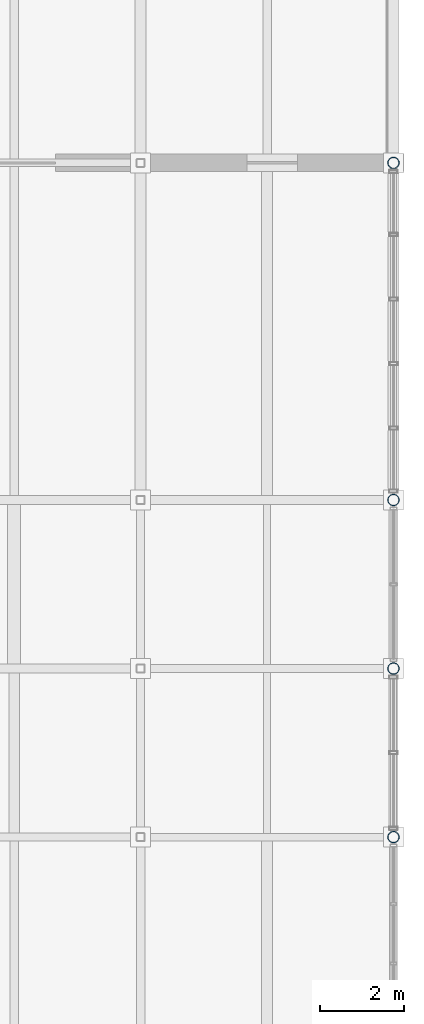
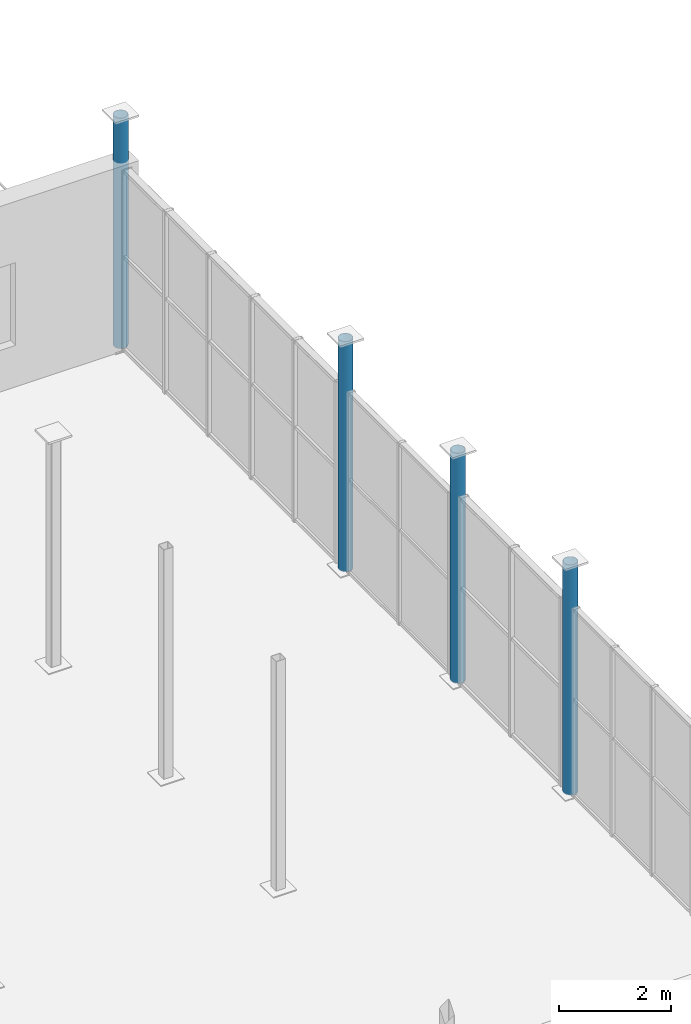
# One storey, part 5 of 27: 4 columns.
"""IFC4 building model written with IfcOpenShell, lengths in metres."""

from ifc_helpers import new_model, si_unit, direction, frame, origin, origin_2d, place, context, subcontext, project, spatial, hollow_circle, extrude, material, material_profile, profile_set, type_object, element, save


model = new_model("IFC4")

# Units and contexts
model_context = context("Model", 3, precision=1e-05, world=origin(), true_north=direction((0.0, 1.0)))
body_context = subcontext(model_context, "Body", "Model", "MODEL_VIEW")
ifc_project = project(units=[si_unit("LENGTHUNIT", "METRE"), si_unit("AREAUNIT", "SQUARE_METRE"), si_unit("VOLUMEUNIT", "CUBIC_METRE"), si_unit("PLANEANGLEUNIT", "RADIAN"), si_unit("MASSUNIT", "GRAM", prefix="KILO")], contexts=[model_context])

# Site, building, storey
site_placement = place(None, origin())
site = spatial("IfcSite", under=ifc_project, at=site_placement, CompositionType="ELEMENT")
building_placement = place(site_placement, origin())
building = spatial("IfcBuilding", under=site, at=building_placement, Name="Verrall Gate Interchange", CompositionType="ELEMENT")
storey_placement = place(building_placement, frame((0.0, 0.0, 23.60009765625)))
storey = spatial("IfcBuildingStorey", under=building, at=storey_placement, Name="L06", CompositionType="ELEMENT", Elevation=23.60009765625)

# Columns
ifc_material = material(Name="Structural Steel CSA G40.21 350WT Cat 4", Category="steel")
ifc_material_profile = material_profile(ifc_material, hollow_circle(Radius=0.136474609375, WallThickness=0.009521484375, at=origin_2d()), Name="HSS273x9.5")
ifc_profile_set = profile_set([ifc_material_profile], Name="Structural Steel CSA G40.21 350WT Cat 4")
column_type = type_object("IfcColumnType", Name="C-16 Column HSS273x9.5", PredefinedType="COLUMN", material=ifc_profile_set)
for number, where, z_axis, x_axis, name in (
    (1, (36.0, 40.0, 0.0), (0.0, 0.0, 1.0), (1.0, 0.0, 0.0), "L06 Column COL-L06-0777 (C-16)"),
    (2, (36.0, 44.0, 0.0), (0.0, 0.0, 1.0), (1.0, 0.0, 0.0), "L06 Column COL-L06-0785 (C-16)"),
    (3, (36.0, 48.0, 0.0), (0.0, 0.0, 1.0), (1.0, 0.0, 0.0), "L06 Column COL-L06-0793 (C-16)"),
    (4, (36.0, 56.0, 0.0), (0.0, 0.0, 1.0), (1.0, 0.0, 0.0), "L06 Column COL-L06-0801 (C-16)"),
):
    element("IfcColumn", number, at=place(storey_placement, frame(where, z_axis=z_axis, x_axis=x_axis)), inside=storey, type_object=column_type, Name=name, PredefinedType="COLUMN", context=body_context, shape_type="SweptSolid", body=[
        extrude(hollow_circle(Radius=0.136474609375, WallThickness=0.009521484375, at=origin_2d()), origin(), (0.0, 0.0, 1.0), 5.0),
    ])

save(model, "model.ifc")
